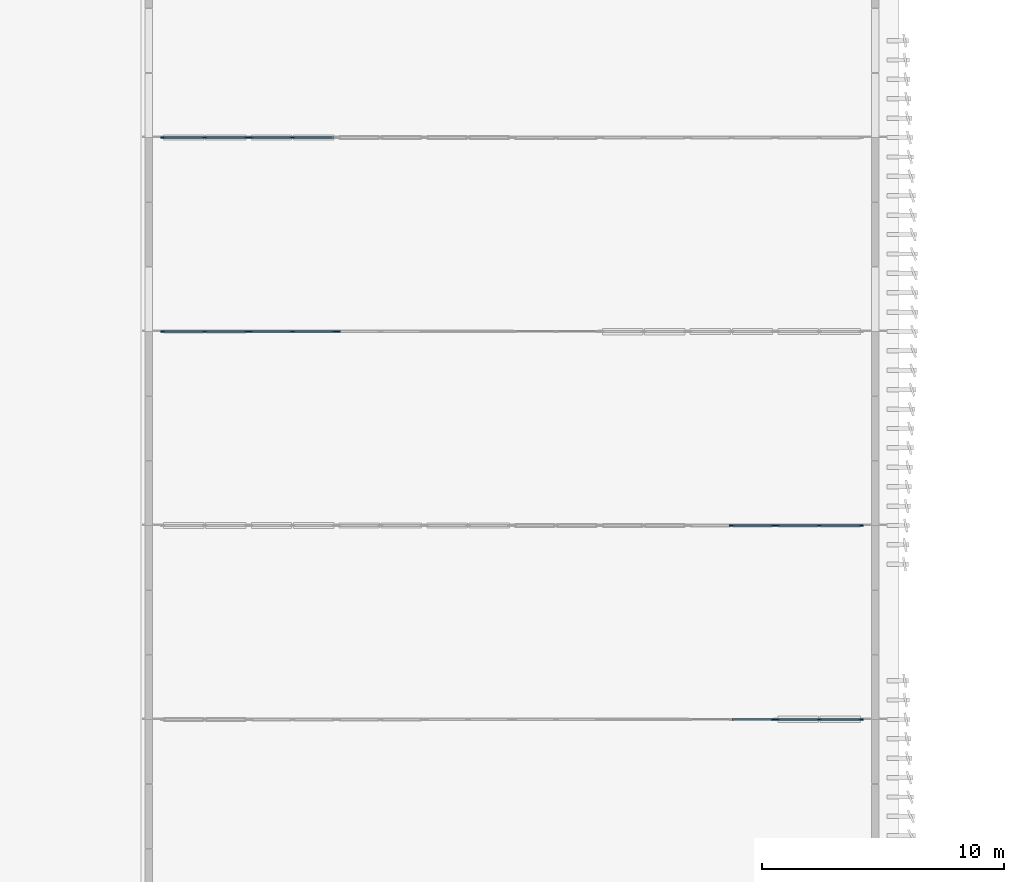
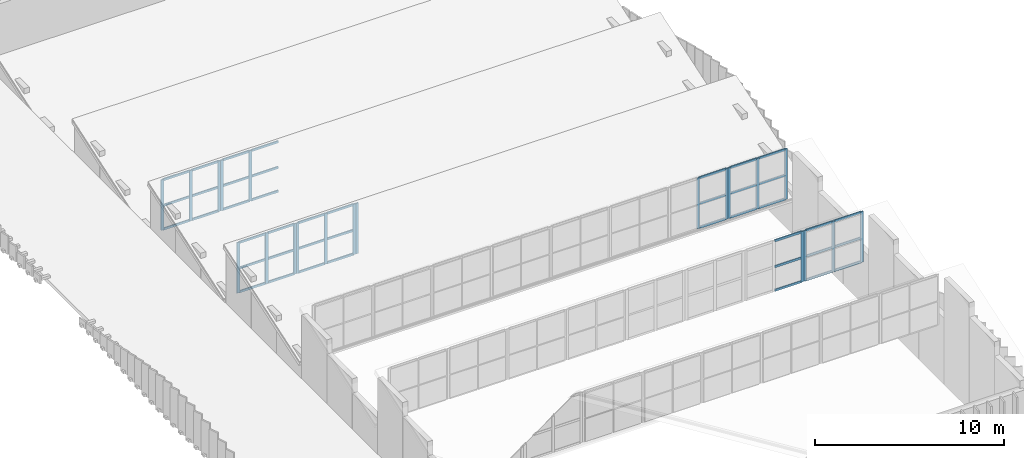
# One storey, part 7 of 45: 63 members, 9 elements without a shape of their own.
"""IFC4 building model written with IfcOpenShell, lengths in metres."""

from ifc_helpers import new_model, si_unit, direction, frame, origin, origin_2d, place, context, subcontext, project, spatial, rectangle, extrude, material, layer, layer_set, material_profile, profile_set, type_object, element, aggregate, save


model = new_model("IFC4")

# Units and contexts
model_context = context("Model", 3, precision=1e-05, world=origin(), true_north=direction((0.0, 1.0)))
body_context = subcontext(model_context, "Body", "Model", "MODEL_VIEW")
ifc_project = project(units=[si_unit("LENGTHUNIT", "METRE"), si_unit("AREAUNIT", "SQUARE_METRE"), si_unit("VOLUMEUNIT", "CUBIC_METRE"), si_unit("PLANEANGLEUNIT", "RADIAN"), si_unit("MASSUNIT", "GRAM", prefix="KILO")], contexts=[model_context])

# Site, building, storey
site_placement = place(None, origin())
site = spatial("IfcSite", under=ifc_project, at=site_placement, CompositionType="ELEMENT")
building_placement = place(site_placement, origin())
building = spatial("IfcBuilding", under=site, at=building_placement, Name="Cinchona Park Media Centre", CompositionType="ELEMENT")
storey_placement = place(building_placement, frame((0.0, 0.0, 20.39990234375)))
storey = spatial("IfcBuildingStorey", under=building, at=storey_placement, Name="L04", CompositionType="ELEMENT", Elevation=20.39990234375)

# Curtain wall, members
ifc_material_1 = material(Name="Aluminium Curtain Wall Framing", Category="aluminium")
ifc_layer = layer(ifc_material_1, 0.31494140625)
ifc_layer_set = layer_set([ifc_layer], Name="Aluminium Curtain Wall Framing")
curtain_wall_type = type_object("IfcCurtainWallType", Name="CW-CW10", PredefinedType="USERDEFINED", material=ifc_layer_set)
curtain_wall_1_placement = place(storey_placement, origin())
curtain_wall_1 = element("IfcCurtainWall", 1, at=curtain_wall_1_placement, inside=storey, type_object=curtain_wall_type, Name="North-Light Sawtooth Clerestory V1 Bay 2.1 CW10 L04", ObjectType="UNITISED CURTAIN WALL", PredefinedType="USERDEFINED")
ifc_material_2 = material(Name="Anodised Aluminium Alloy 6063-T6", Category="aluminium")
ifc_material_profile_1 = material_profile(ifc_material_2, rectangle(XDim=0.070068359375, YDim=0.179931640625, at=origin_2d()), Name="MUL-70X180")
ifc_profile_set_1 = profile_set([ifc_material_profile_1], Name="Anodised Aluminium Alloy 6063-T6")
member_type_1 = type_object("IfcMemberType", Name="MULLION-MUL02", PredefinedType="MULLION", material=ifc_profile_set_1)
member_1_placement = place(storey_placement, frame((44.784912109375, 23.60009765625, 1.780029296875), z_axis=(0.0, 0.0, 1.0), x_axis=(0.0, -1.0, 0.0)))
member_1 = element("IfcMember", 2, at=member_1_placement, type_object=member_type_1, Name="CW10 mullion 1", PredefinedType="MULLION", context=body_context, shape_type="SweptSolid", body=[
    extrude(rectangle(XDim=0.070068359375, YDim=0.179931640625, at=origin_2d()), origin(), (0.0, 0.0, 1.0), 3.257080078125),
])
member_2_placement = place(storey_placement, frame((43.050048828125, 23.60009765625, 1.780029296875), z_axis=(0.0, 0.0, 1.0), x_axis=(0.0, -1.0, 0.0)))
member_2 = element("IfcMember", 3, at=member_2_placement, type_object=member_type_1, Name="CW10 mullion 2", PredefinedType="MULLION", context=body_context, shape_type="SweptSolid", body=[
    extrude(rectangle(XDim=0.070068359375, YDim=0.179931640625, at=origin_2d()), origin(), (0.0, 0.0, 1.0), 3.257080078125),
])
member_3_placement = place(storey_placement, frame((41.31494140625, 23.60009765625, 1.780029296875), z_axis=(0.0, 0.0, 1.0), x_axis=(0.0, -1.0, 0.0)))
member_3 = element("IfcMember", 4, at=member_3_placement, type_object=member_type_1, Name="CW10 mullion 3", PredefinedType="MULLION", context=body_context, shape_type="SweptSolid", body=[
    extrude(rectangle(XDim=0.070068359375, YDim=0.179931640625, at=origin_2d()), origin(), (0.0, 0.0, 1.0), 3.257080078125),
])

# Curtain wall, member
curtain_wall_2_placement = place(storey_placement, origin())
curtain_wall_2 = element("IfcCurtainWall", 5, at=curtain_wall_2_placement, inside=storey, type_object=curtain_wall_type, Name="North-Light Sawtooth Clerestory V1 Bay 2.2 CW10 L04", ObjectType="UNITISED CURTAIN WALL", PredefinedType="USERDEFINED")
member_4_placement = place(storey_placement, frame((41.1650390625, 23.60009765625, 1.780029296875), z_axis=(0.0, 0.0, 1.0), x_axis=(0.0, -1.0, 0.0)))
member_4 = element("IfcMember", 6, at=member_4_placement, type_object=member_type_1, Name="CW10 mullion 1", PredefinedType="MULLION", context=body_context, shape_type="SweptSolid", body=[
    extrude(rectangle(XDim=0.070068359375, YDim=0.179931640625, at=origin_2d()), origin(), (0.0, 0.0, 1.0), 3.257080078125),
])

# Curtain wall, members
curtain_wall_3_placement = place(storey_placement, origin())
curtain_wall_3 = element("IfcCurtainWall", 7, at=curtain_wall_3_placement, inside=storey, type_object=curtain_wall_type, Name="North-Light Sawtooth Clerestory V1 Bay 3.1 CW10 L04", ObjectType="UNITISED CURTAIN WALL", PredefinedType="USERDEFINED")
member_5_placement = place(storey_placement, frame((44.784912109375, 31.60009765625, 0.97998046875), z_axis=(0.0, 0.0, 1.0), x_axis=(0.0, -1.0, 0.0)))
member_5 = element("IfcMember", 8, at=member_5_placement, type_object=member_type_1, Name="CW10 mullion 1", PredefinedType="MULLION", context=body_context, shape_type="SweptSolid", body=[
    extrude(rectangle(XDim=0.070068359375, YDim=0.179931640625, at=origin_2d()), origin(), (0.0, 0.0, 1.0), 3.257080078125),
])
member_6_placement = place(storey_placement, frame((43.050048828125, 31.60009765625, 0.97998046875), z_axis=(0.0, 0.0, 1.0), x_axis=(0.0, -1.0, 0.0)))
member_6 = element("IfcMember", 9, at=member_6_placement, type_object=member_type_1, Name="CW10 mullion 2", PredefinedType="MULLION", context=body_context, shape_type="SweptSolid", body=[
    extrude(rectangle(XDim=0.070068359375, YDim=0.179931640625, at=origin_2d()), origin(), (0.0, 0.0, 1.0), 3.257080078125),
])
member_7_placement = place(storey_placement, frame((41.31494140625, 31.60009765625, 0.97998046875), z_axis=(0.0, 0.0, 1.0), x_axis=(0.0, -1.0, 0.0)))
member_7 = element("IfcMember", 10, at=member_7_placement, type_object=member_type_1, Name="CW10 mullion 3", PredefinedType="MULLION", context=body_context, shape_type="SweptSolid", body=[
    extrude(rectangle(XDim=0.070068359375, YDim=0.179931640625, at=origin_2d()), origin(), (0.0, 0.0, 1.0), 3.257080078125),
])

curtain_wall_4_placement = place(storey_placement, origin())
curtain_wall_4 = element("IfcCurtainWall", 11, at=curtain_wall_4_placement, inside=storey, type_object=curtain_wall_type, Name="North-Light Sawtooth Clerestory V1 Bay 3.2 CW10 L04", ObjectType="UNITISED CURTAIN WALL", PredefinedType="USERDEFINED")
member_8_placement = place(storey_placement, frame((41.1650390625, 31.60009765625, 0.97998046875), z_axis=(0.0, 0.0, 1.0), x_axis=(0.0, -1.0, 0.0)))
member_8 = element("IfcMember", 12, at=member_8_placement, type_object=member_type_1, Name="CW10 mullion 1", PredefinedType="MULLION", context=body_context, shape_type="SweptSolid", body=[
    extrude(rectangle(XDim=0.070068359375, YDim=0.179931640625, at=origin_2d()), origin(), (0.0, 0.0, 1.0), 3.257080078125),
])
member_9_placement = place(storey_placement, frame((39.429931640625, 31.60009765625, 0.97998046875), z_axis=(0.0, 0.0, 1.0), x_axis=(0.0, -1.0, 0.0)))
member_9 = element("IfcMember", 13, at=member_9_placement, type_object=member_type_1, Name="CW10 mullion 2", PredefinedType="MULLION", context=body_context, shape_type="SweptSolid", body=[
    extrude(rectangle(XDim=0.070068359375, YDim=0.179931640625, at=origin_2d()), origin(), (0.0, 0.0, 1.0), 3.257080078125),
])

# Curtain wall, member
curtain_wall_5_placement = place(storey_placement, origin())
curtain_wall_5 = element("IfcCurtainWall", 14, at=curtain_wall_5_placement, inside=storey, type_object=curtain_wall_type, Name="North-Light Sawtooth Clerestory V1 Bay 4.6 CW10 L04", ObjectType="UNITISED CURTAIN WALL", PredefinedType="USERDEFINED")
member_10_placement = place(storey_placement, frame((23.215087890625, 39.60009765625, 0.18017578125), z_axis=(0.0, 0.0, 1.0), x_axis=(0.0, -1.0, 0.0)))
member_10 = element("IfcMember", 15, at=member_10_placement, type_object=member_type_1, Name="CW10 mullion 3", PredefinedType="MULLION", context=body_context, shape_type="SweptSolid", body=[
    extrude(rectangle(XDim=0.070068359375, YDim=0.179931640625, at=origin_2d()), origin(), (0.0, 0.0, 1.0), 3.2568359375),
])
aggregate(curtain_wall_5, [member_10])

# Curtain wall, members
curtain_wall_6_placement = place(storey_placement, origin())
curtain_wall_6 = element("IfcCurtainWall", 16, at=curtain_wall_6_placement, inside=storey, type_object=curtain_wall_type, Name="North-Light Sawtooth Clerestory V1 Bay 4.7 CW10 L04", ObjectType="UNITISED CURTAIN WALL", PredefinedType="USERDEFINED")
member_11_placement = place(storey_placement, frame((23.06494140625, 39.60009765625, 0.18017578125), z_axis=(0.0, 0.0, 1.0), x_axis=(0.0, -1.0, 0.0)))
member_11 = element("IfcMember", 17, at=member_11_placement, type_object=member_type_1, Name="CW10 mullion 1", PredefinedType="MULLION", context=body_context, shape_type="SweptSolid", body=[
    extrude(rectangle(XDim=0.070068359375, YDim=0.179931640625, at=origin_2d()), origin(), (0.0, 0.0, 1.0), 3.2568359375),
])
member_12_placement = place(storey_placement, frame((21.330078125, 39.60009765625, 0.18017578125), z_axis=(0.0, 0.0, 1.0), x_axis=(0.0, -1.0, 0.0)))
member_12 = element("IfcMember", 18, at=member_12_placement, type_object=member_type_1, Name="CW10 mullion 2", PredefinedType="MULLION", context=body_context, shape_type="SweptSolid", body=[
    extrude(rectangle(XDim=0.070068359375, YDim=0.179931640625, at=origin_2d()), origin(), (0.0, 0.0, 1.0), 3.2568359375),
])
member_13_placement = place(storey_placement, frame((19.594970703125, 39.60009765625, 0.18017578125), z_axis=(0.0, 0.0, 1.0), x_axis=(0.0, -1.0, 0.0)))
member_13 = element("IfcMember", 19, at=member_13_placement, type_object=member_type_1, Name="CW10 mullion 3", PredefinedType="MULLION", context=body_context, shape_type="SweptSolid", body=[
    extrude(rectangle(XDim=0.070068359375, YDim=0.179931640625, at=origin_2d()), origin(), (0.0, 0.0, 1.0), 3.2568359375),
])

curtain_wall_7_placement = place(storey_placement, origin())
curtain_wall_7 = element("IfcCurtainWall", 20, at=curtain_wall_7_placement, inside=storey, type_object=curtain_wall_type, Name="North-Light Sawtooth Clerestory V1 Bay 4.8 CW10 L04", ObjectType="UNITISED CURTAIN WALL", PredefinedType="USERDEFINED")
member_14_placement = place(storey_placement, frame((19.445068359375, 39.60009765625, 0.18017578125), z_axis=(0.0, 0.0, 1.0), x_axis=(0.0, -1.0, 0.0)))
member_14 = element("IfcMember", 21, at=member_14_placement, type_object=member_type_1, Name="CW10 mullion 1", PredefinedType="MULLION", context=body_context, shape_type="SweptSolid", body=[
    extrude(rectangle(XDim=0.070068359375, YDim=0.179931640625, at=origin_2d()), origin(), (0.0, 0.0, 1.0), 3.2568359375),
])
member_15_placement = place(storey_placement, frame((17.7099609375, 39.60009765625, 0.18017578125), z_axis=(0.0, 0.0, 1.0), x_axis=(0.0, -1.0, 0.0)))
member_15 = element("IfcMember", 22, at=member_15_placement, type_object=member_type_1, Name="CW10 mullion 2", PredefinedType="MULLION", context=body_context, shape_type="SweptSolid", body=[
    extrude(rectangle(XDim=0.070068359375, YDim=0.179931640625, at=origin_2d()), origin(), (0.0, 0.0, 1.0), 3.2568359375),
])
member_16_placement = place(storey_placement, frame((15.97509765625, 39.60009765625, 0.18017578125), z_axis=(0.0, 0.0, 1.0), x_axis=(0.0, -1.0, 0.0)))
member_16 = element("IfcMember", 23, at=member_16_placement, type_object=member_type_1, Name="CW10 mullion 3", PredefinedType="MULLION", context=body_context, shape_type="SweptSolid", body=[
    extrude(rectangle(XDim=0.070068359375, YDim=0.179931640625, at=origin_2d()), origin(), (0.0, 0.0, 1.0), 3.2568359375),
])

curtain_wall_8_placement = place(storey_placement, origin())
curtain_wall_8 = element("IfcCurtainWall", 24, at=curtain_wall_8_placement, inside=storey, type_object=curtain_wall_type, Name="North-Light Sawtooth Clerestory V1 Bay 5.7 CW10 L04", ObjectType="UNITISED CURTAIN WALL", PredefinedType="USERDEFINED")
member_17_placement = place(storey_placement, frame((21.330078125, 47.60009765625, -0.619873046875), z_axis=(0.0, 0.0, 1.0), x_axis=(0.0, -1.0, 0.0)))
member_17 = element("IfcMember", 25, at=member_17_placement, type_object=member_type_1, Name="CW10 mullion 2", PredefinedType="MULLION", context=body_context, shape_type="SweptSolid", body=[
    extrude(rectangle(XDim=0.070068359375, YDim=0.179931640625, at=origin_2d()), origin(), (0.0, 0.0, 1.0), 3.257080078125),
])
member_18_placement = place(storey_placement, frame((19.594970703125, 47.60009765625, -0.619873046875), z_axis=(0.0, 0.0, 1.0), x_axis=(0.0, -1.0, 0.0)))
member_18 = element("IfcMember", 26, at=member_18_placement, type_object=member_type_1, Name="CW10 mullion 3", PredefinedType="MULLION", context=body_context, shape_type="SweptSolid", body=[
    extrude(rectangle(XDim=0.070068359375, YDim=0.179931640625, at=origin_2d()), origin(), (0.0, 0.0, 1.0), 3.257080078125),
])

curtain_wall_9_placement = place(storey_placement, origin())
curtain_wall_9 = element("IfcCurtainWall", 27, at=curtain_wall_9_placement, inside=storey, type_object=curtain_wall_type, Name="North-Light Sawtooth Clerestory V1 Bay 5.8 CW10 L04", ObjectType="UNITISED CURTAIN WALL", PredefinedType="USERDEFINED")
member_19_placement = place(storey_placement, frame((19.445068359375, 47.60009765625, -0.619873046875), z_axis=(0.0, 0.0, 1.0), x_axis=(0.0, -1.0, 0.0)))
member_19 = element("IfcMember", 28, at=member_19_placement, type_object=member_type_1, Name="CW10 mullion 1", PredefinedType="MULLION", context=body_context, shape_type="SweptSolid", body=[
    extrude(rectangle(XDim=0.070068359375, YDim=0.179931640625, at=origin_2d()), origin(), (0.0, 0.0, 1.0), 3.257080078125),
])
member_20_placement = place(storey_placement, frame((17.7099609375, 47.60009765625, -0.619873046875), z_axis=(0.0, 0.0, 1.0), x_axis=(0.0, -1.0, 0.0)))
member_20 = element("IfcMember", 29, at=member_20_placement, type_object=member_type_1, Name="CW10 mullion 2", PredefinedType="MULLION", context=body_context, shape_type="SweptSolid", body=[
    extrude(rectangle(XDim=0.070068359375, YDim=0.179931640625, at=origin_2d()), origin(), (0.0, 0.0, 1.0), 3.257080078125),
])
member_21_placement = place(storey_placement, frame((15.97509765625, 47.60009765625, -0.619873046875), z_axis=(0.0, 0.0, 1.0), x_axis=(0.0, -1.0, 0.0)))
member_21 = element("IfcMember", 30, at=member_21_placement, type_object=member_type_1, Name="CW10 mullion 3", PredefinedType="MULLION", context=body_context, shape_type="SweptSolid", body=[
    extrude(rectangle(XDim=0.070068359375, YDim=0.179931640625, at=origin_2d()), origin(), (0.0, 0.0, 1.0), 3.257080078125),
])

# Member
ifc_material_3 = material(Name="Anodised Aluminium Alloy 6063-T6", Category="aluminium")
ifc_material_profile_2 = material_profile(ifc_material_3, rectangle(XDim=0.070068359375, YDim=0.139892578125, at=origin_2d()), Name="TRN-70X140")
ifc_profile_set_2 = profile_set([ifc_material_profile_2], Name="Anodised Aluminium Alloy 6063-T6")
member_type_2 = type_object("IfcMemberType", Name="TRANSOM-TRN02", PredefinedType="USERDEFINED", material=ifc_profile_set_2)
member_22_placement = place(storey_placement, frame((44.75, 23.60009765625, 1.815185546875), z_axis=(-1.0, 0.0, 0.0), x_axis=(0.0, -1.0, 0.0)))
member_22 = element("IfcMember", 31, at=member_22_placement, type_object=member_type_2, Name="CW10 transom 1.1", ObjectType="TRANSOM", PredefinedType="USERDEFINED", context=body_context, shape_type="SweptSolid", body=[
    extrude(rectangle(XDim=0.070068359375, YDim=0.139892578125, at=origin_2d()), origin(), (0.0, 0.0, 1.0), 1.6650390625),
])

member_23_placement = place(storey_placement, frame((44.75, 23.60009765625, 3.343017578125), z_axis=(-1.0, 0.0, 0.0), x_axis=(0.0, -1.0, 0.0)))
member_23 = element("IfcMember", 32, at=member_23_placement, type_object=member_type_2, Name="CW10 transom 1.2", ObjectType="TRANSOM", PredefinedType="USERDEFINED", context=body_context, shape_type="SweptSolid", body=[
    extrude(rectangle(XDim=0.070068359375, YDim=0.139892578125, at=origin_2d()), origin(), (0.0, 0.0, 1.0), 1.6650390625),
])

member_24_placement = place(storey_placement, frame((44.75, 23.60009765625, 5.002197265625), z_axis=(-1.0, 0.0, 0.0), x_axis=(0.0, -1.0, 0.0)))
member_24 = element("IfcMember", 33, at=member_24_placement, type_object=member_type_2, Name="CW10 transom 1.3", ObjectType="TRANSOM", PredefinedType="USERDEFINED", context=body_context, shape_type="SweptSolid", body=[
    extrude(rectangle(XDim=0.070068359375, YDim=0.139892578125, at=origin_2d()), origin(), (0.0, 0.0, 1.0), 1.6650390625),
])

member_25_placement = place(storey_placement, frame((43.014892578125, 23.60009765625, 1.815185546875), z_axis=(-1.0, 0.0, 0.0), x_axis=(0.0, -1.0, 0.0)))
member_25 = element("IfcMember", 34, at=member_25_placement, type_object=member_type_2, Name="CW10 transom 2.1", ObjectType="TRANSOM", PredefinedType="USERDEFINED", context=body_context, shape_type="SweptSolid", body=[
    extrude(rectangle(XDim=0.070068359375, YDim=0.139892578125, at=origin_2d()), origin(), (0.0, 0.0, 1.0), 1.664794921875),
])

member_26_placement = place(storey_placement, frame((43.014892578125, 23.60009765625, 3.343017578125), z_axis=(-1.0, 0.0, 0.0), x_axis=(0.0, -1.0, 0.0)))
member_26 = element("IfcMember", 35, at=member_26_placement, type_object=member_type_2, Name="CW10 transom 2.2", ObjectType="TRANSOM", PredefinedType="USERDEFINED", context=body_context, shape_type="SweptSolid", body=[
    extrude(rectangle(XDim=0.070068359375, YDim=0.139892578125, at=origin_2d()), origin(), (0.0, 0.0, 1.0), 1.664794921875),
])

member_27_placement = place(storey_placement, frame((43.014892578125, 23.60009765625, 5.002197265625), z_axis=(-1.0, 0.0, 0.0), x_axis=(0.0, -1.0, 0.0)))
member_27 = element("IfcMember", 36, at=member_27_placement, type_object=member_type_2, Name="CW10 transom 2.3", ObjectType="TRANSOM", PredefinedType="USERDEFINED", context=body_context, shape_type="SweptSolid", body=[
    extrude(rectangle(XDim=0.070068359375, YDim=0.139892578125, at=origin_2d()), origin(), (0.0, 0.0, 1.0), 1.664794921875),
])

aggregate(curtain_wall_1, [member_1, member_2, member_3, member_22, member_23, member_24, member_25, member_26, member_27])

member_28_placement = place(storey_placement, frame((41.1298828125, 23.60009765625, 1.815185546875), z_axis=(-1.0, 0.0, 0.0), x_axis=(0.0, -1.0, 0.0)))
member_28 = element("IfcMember", 37, at=member_28_placement, type_object=member_type_2, Name="CW10 transom 1.1", ObjectType="TRANSOM", PredefinedType="USERDEFINED", context=body_context, shape_type="SweptSolid", body=[
    extrude(rectangle(XDim=0.070068359375, YDim=0.139892578125, at=origin_2d()), origin(), (0.0, 0.0, 1.0), 1.664794921875),
])

member_29_placement = place(storey_placement, frame((41.1298828125, 23.60009765625, 3.343017578125), z_axis=(-1.0, 0.0, 0.0), x_axis=(0.0, -1.0, 0.0)))
member_29 = element("IfcMember", 38, at=member_29_placement, type_object=member_type_2, Name="CW10 transom 1.2", ObjectType="TRANSOM", PredefinedType="USERDEFINED", context=body_context, shape_type="SweptSolid", body=[
    extrude(rectangle(XDim=0.070068359375, YDim=0.139892578125, at=origin_2d()), origin(), (0.0, 0.0, 1.0), 1.664794921875),
])

member_30_placement = place(storey_placement, frame((41.1298828125, 23.60009765625, 5.002197265625), z_axis=(-1.0, 0.0, 0.0), x_axis=(0.0, -1.0, 0.0)))
member_30 = element("IfcMember", 39, at=member_30_placement, type_object=member_type_2, Name="CW10 transom 1.3", ObjectType="TRANSOM", PredefinedType="USERDEFINED", context=body_context, shape_type="SweptSolid", body=[
    extrude(rectangle(XDim=0.070068359375, YDim=0.139892578125, at=origin_2d()), origin(), (0.0, 0.0, 1.0), 1.664794921875),
])

aggregate(curtain_wall_2, [member_4, member_28, member_29, member_30])

member_31_placement = place(storey_placement, frame((44.75, 31.60009765625, 1.01513671875), z_axis=(-1.0, 0.0, 0.0), x_axis=(0.0, -1.0, 0.0)))
member_31 = element("IfcMember", 40, at=member_31_placement, type_object=member_type_2, Name="CW10 transom 1.1", ObjectType="TRANSOM", PredefinedType="USERDEFINED", context=body_context, shape_type="SweptSolid", body=[
    extrude(rectangle(XDim=0.070068359375, YDim=0.139892578125, at=origin_2d()), origin(), (0.0, 0.0, 1.0), 1.6650390625),
])

member_32_placement = place(storey_placement, frame((44.75, 31.60009765625, 2.543212890625), z_axis=(-1.0, 0.0, 0.0), x_axis=(0.0, -1.0, 0.0)))
member_32 = element("IfcMember", 41, at=member_32_placement, type_object=member_type_2, Name="CW10 transom 1.2", ObjectType="TRANSOM", PredefinedType="USERDEFINED", context=body_context, shape_type="SweptSolid", body=[
    extrude(rectangle(XDim=0.070068359375, YDim=0.139892578125, at=origin_2d()), origin(), (0.0, 0.0, 1.0), 1.6650390625),
])

member_33_placement = place(storey_placement, frame((44.75, 31.60009765625, 4.2021484375), z_axis=(-1.0, 0.0, 0.0), x_axis=(0.0, -1.0, 0.0)))
member_33 = element("IfcMember", 42, at=member_33_placement, type_object=member_type_2, Name="CW10 transom 1.3", ObjectType="TRANSOM", PredefinedType="USERDEFINED", context=body_context, shape_type="SweptSolid", body=[
    extrude(rectangle(XDim=0.070068359375, YDim=0.139892578125, at=origin_2d()), origin(), (0.0, 0.0, 1.0), 1.6650390625),
])

member_34_placement = place(storey_placement, frame((43.014892578125, 31.60009765625, 1.01513671875), z_axis=(-1.0, 0.0, 0.0), x_axis=(0.0, -1.0, 0.0)))
member_34 = element("IfcMember", 43, at=member_34_placement, type_object=member_type_2, Name="CW10 transom 2.1", ObjectType="TRANSOM", PredefinedType="USERDEFINED", context=body_context, shape_type="SweptSolid", body=[
    extrude(rectangle(XDim=0.070068359375, YDim=0.139892578125, at=origin_2d()), origin(), (0.0, 0.0, 1.0), 1.664794921875),
])

member_35_placement = place(storey_placement, frame((43.014892578125, 31.60009765625, 2.543212890625), z_axis=(-1.0, 0.0, 0.0), x_axis=(0.0, -1.0, 0.0)))
member_35 = element("IfcMember", 44, at=member_35_placement, type_object=member_type_2, Name="CW10 transom 2.2", ObjectType="TRANSOM", PredefinedType="USERDEFINED", context=body_context, shape_type="SweptSolid", body=[
    extrude(rectangle(XDim=0.070068359375, YDim=0.139892578125, at=origin_2d()), origin(), (0.0, 0.0, 1.0), 1.664794921875),
])

member_36_placement = place(storey_placement, frame((43.014892578125, 31.60009765625, 4.2021484375), z_axis=(-1.0, 0.0, 0.0), x_axis=(0.0, -1.0, 0.0)))
member_36 = element("IfcMember", 45, at=member_36_placement, type_object=member_type_2, Name="CW10 transom 2.3", ObjectType="TRANSOM", PredefinedType="USERDEFINED", context=body_context, shape_type="SweptSolid", body=[
    extrude(rectangle(XDim=0.070068359375, YDim=0.139892578125, at=origin_2d()), origin(), (0.0, 0.0, 1.0), 1.664794921875),
])

aggregate(curtain_wall_3, [member_5, member_6, member_7, member_31, member_32, member_33, member_34, member_35, member_36])

member_37_placement = place(storey_placement, frame((41.1298828125, 31.60009765625, 1.01513671875), z_axis=(-1.0, 0.0, 0.0), x_axis=(0.0, -1.0, 0.0)))
member_37 = element("IfcMember", 46, at=member_37_placement, type_object=member_type_2, Name="CW10 transom 1.1", ObjectType="TRANSOM", PredefinedType="USERDEFINED", context=body_context, shape_type="SweptSolid", body=[
    extrude(rectangle(XDim=0.070068359375, YDim=0.139892578125, at=origin_2d()), origin(), (0.0, 0.0, 1.0), 1.664794921875),
])

member_38_placement = place(storey_placement, frame((41.1298828125, 31.60009765625, 2.543212890625), z_axis=(-1.0, 0.0, 0.0), x_axis=(0.0, -1.0, 0.0)))
member_38 = element("IfcMember", 47, at=member_38_placement, type_object=member_type_2, Name="CW10 transom 1.2", ObjectType="TRANSOM", PredefinedType="USERDEFINED", context=body_context, shape_type="SweptSolid", body=[
    extrude(rectangle(XDim=0.070068359375, YDim=0.139892578125, at=origin_2d()), origin(), (0.0, 0.0, 1.0), 1.664794921875),
])

member_39_placement = place(storey_placement, frame((41.1298828125, 31.60009765625, 4.2021484375), z_axis=(-1.0, 0.0, 0.0), x_axis=(0.0, -1.0, 0.0)))
member_39 = element("IfcMember", 48, at=member_39_placement, type_object=member_type_2, Name="CW10 transom 1.3", ObjectType="TRANSOM", PredefinedType="USERDEFINED", context=body_context, shape_type="SweptSolid", body=[
    extrude(rectangle(XDim=0.070068359375, YDim=0.139892578125, at=origin_2d()), origin(), (0.0, 0.0, 1.0), 1.664794921875),
])

aggregate(curtain_wall_4, [member_8, member_9, member_37, member_38, member_39])

member_40_placement = place(storey_placement, frame((23.030029296875, 39.60009765625, 0.215087890625), z_axis=(-1.0, 0.0, 0.0), x_axis=(0.0, -1.0, 0.0)))
member_40 = element("IfcMember", 49, at=member_40_placement, type_object=member_type_2, Name="CW10 transom 1.1", ObjectType="TRANSOM", PredefinedType="USERDEFINED", context=body_context, shape_type="SweptSolid", body=[
    extrude(rectangle(XDim=0.070068359375, YDim=0.139892578125, at=origin_2d()), origin(), (0.0, 0.0, 1.0), 1.6650390625),
])

member_41_placement = place(storey_placement, frame((23.030029296875, 39.60009765625, 1.7431640625), z_axis=(-1.0, 0.0, 0.0), x_axis=(0.0, -1.0, 0.0)))
member_41 = element("IfcMember", 50, at=member_41_placement, type_object=member_type_2, Name="CW10 transom 1.2", ObjectType="TRANSOM", PredefinedType="USERDEFINED", context=body_context, shape_type="SweptSolid", body=[
    extrude(rectangle(XDim=0.070068359375, YDim=0.139892578125, at=origin_2d()), origin(), (0.0, 0.0, 1.0), 1.6650390625),
])

member_42_placement = place(storey_placement, frame((23.030029296875, 39.60009765625, 3.402099609375), z_axis=(-1.0, 0.0, 0.0), x_axis=(0.0, -1.0, 0.0)))
member_42 = element("IfcMember", 51, at=member_42_placement, type_object=member_type_2, Name="CW10 transom 1.3", ObjectType="TRANSOM", PredefinedType="USERDEFINED", context=body_context, shape_type="SweptSolid", body=[
    extrude(rectangle(XDim=0.070068359375, YDim=0.139892578125, at=origin_2d()), origin(), (0.0, 0.0, 1.0), 1.6650390625),
])

member_43_placement = place(storey_placement, frame((21.294921875, 39.60009765625, 0.215087890625), z_axis=(-1.0, 0.0, 0.0), x_axis=(0.0, -1.0, 0.0)))
member_43 = element("IfcMember", 52, at=member_43_placement, type_object=member_type_2, Name="CW10 transom 2.1", ObjectType="TRANSOM", PredefinedType="USERDEFINED", context=body_context, shape_type="SweptSolid", body=[
    extrude(rectangle(XDim=0.070068359375, YDim=0.139892578125, at=origin_2d()), origin(), (0.0, 0.0, 1.0), 1.6650390625),
])

member_44_placement = place(storey_placement, frame((21.294921875, 39.60009765625, 1.7431640625), z_axis=(-1.0, 0.0, 0.0), x_axis=(0.0, -1.0, 0.0)))
member_44 = element("IfcMember", 53, at=member_44_placement, type_object=member_type_2, Name="CW10 transom 2.2", ObjectType="TRANSOM", PredefinedType="USERDEFINED", context=body_context, shape_type="SweptSolid", body=[
    extrude(rectangle(XDim=0.070068359375, YDim=0.139892578125, at=origin_2d()), origin(), (0.0, 0.0, 1.0), 1.6650390625),
])

member_45_placement = place(storey_placement, frame((21.294921875, 39.60009765625, 3.402099609375), z_axis=(-1.0, 0.0, 0.0), x_axis=(0.0, -1.0, 0.0)))
member_45 = element("IfcMember", 54, at=member_45_placement, type_object=member_type_2, Name="CW10 transom 2.3", ObjectType="TRANSOM", PredefinedType="USERDEFINED", context=body_context, shape_type="SweptSolid", body=[
    extrude(rectangle(XDim=0.070068359375, YDim=0.139892578125, at=origin_2d()), origin(), (0.0, 0.0, 1.0), 1.6650390625),
])

aggregate(curtain_wall_6, [member_11, member_12, member_13, member_40, member_41, member_42, member_43, member_44, member_45])

member_46_placement = place(storey_placement, frame((19.409912109375, 39.60009765625, 0.215087890625), z_axis=(-1.0, 0.0, 0.0), x_axis=(0.0, -1.0, 0.0)))
member_46 = element("IfcMember", 55, at=member_46_placement, type_object=member_type_2, Name="CW10 transom 1.1", ObjectType="TRANSOM", PredefinedType="USERDEFINED", context=body_context, shape_type="SweptSolid", body=[
    extrude(rectangle(XDim=0.070068359375, YDim=0.139892578125, at=origin_2d()), origin(), (0.0, 0.0, 1.0), 1.664794921875),
])

member_47_placement = place(storey_placement, frame((19.409912109375, 39.60009765625, 1.7431640625), z_axis=(-1.0, 0.0, 0.0), x_axis=(0.0, -1.0, 0.0)))
member_47 = element("IfcMember", 56, at=member_47_placement, type_object=member_type_2, Name="CW10 transom 1.2", ObjectType="TRANSOM", PredefinedType="USERDEFINED", context=body_context, shape_type="SweptSolid", body=[
    extrude(rectangle(XDim=0.070068359375, YDim=0.139892578125, at=origin_2d()), origin(), (0.0, 0.0, 1.0), 1.664794921875),
])

member_48_placement = place(storey_placement, frame((19.409912109375, 39.60009765625, 3.402099609375), z_axis=(-1.0, 0.0, 0.0), x_axis=(0.0, -1.0, 0.0)))
member_48 = element("IfcMember", 57, at=member_48_placement, type_object=member_type_2, Name="CW10 transom 1.3", ObjectType="TRANSOM", PredefinedType="USERDEFINED", context=body_context, shape_type="SweptSolid", body=[
    extrude(rectangle(XDim=0.070068359375, YDim=0.139892578125, at=origin_2d()), origin(), (0.0, 0.0, 1.0), 1.664794921875),
])

member_49_placement = place(storey_placement, frame((17.675048828125, 39.60009765625, 0.215087890625), z_axis=(-1.0, 0.0, 0.0), x_axis=(0.0, -1.0, 0.0)))
member_49 = element("IfcMember", 58, at=member_49_placement, type_object=member_type_2, Name="CW10 transom 2.1", ObjectType="TRANSOM", PredefinedType="USERDEFINED", context=body_context, shape_type="SweptSolid", body=[
    extrude(rectangle(XDim=0.070068359375, YDim=0.139892578125, at=origin_2d()), origin(), (0.0, 0.0, 1.0), 1.6650390625),
])

member_50_placement = place(storey_placement, frame((17.675048828125, 39.60009765625, 1.7431640625), z_axis=(-1.0, 0.0, 0.0), x_axis=(0.0, -1.0, 0.0)))
member_50 = element("IfcMember", 59, at=member_50_placement, type_object=member_type_2, Name="CW10 transom 2.2", ObjectType="TRANSOM", PredefinedType="USERDEFINED", context=body_context, shape_type="SweptSolid", body=[
    extrude(rectangle(XDim=0.070068359375, YDim=0.139892578125, at=origin_2d()), origin(), (0.0, 0.0, 1.0), 1.6650390625),
])

member_51_placement = place(storey_placement, frame((17.675048828125, 39.60009765625, 3.402099609375), z_axis=(-1.0, 0.0, 0.0), x_axis=(0.0, -1.0, 0.0)))
member_51 = element("IfcMember", 60, at=member_51_placement, type_object=member_type_2, Name="CW10 transom 2.3", ObjectType="TRANSOM", PredefinedType="USERDEFINED", context=body_context, shape_type="SweptSolid", body=[
    extrude(rectangle(XDim=0.070068359375, YDim=0.139892578125, at=origin_2d()), origin(), (0.0, 0.0, 1.0), 1.6650390625),
])

aggregate(curtain_wall_7, [member_14, member_15, member_16, member_46, member_47, member_48, member_49, member_50, member_51])

member_52_placement = place(storey_placement, frame((23.030029296875, 47.60009765625, -0.5849609375), z_axis=(-1.0, 0.0, 0.0), x_axis=(0.0, -1.0, 0.0)))
member_52 = element("IfcMember", 61, at=member_52_placement, type_object=member_type_2, Name="CW10 transom 1.1", ObjectType="TRANSOM", PredefinedType="USERDEFINED", context=body_context, shape_type="SweptSolid", body=[
    extrude(rectangle(XDim=0.070068359375, YDim=0.139892578125, at=origin_2d()), origin(), (0.0, 0.0, 1.0), 1.6650390625),
])

member_53_placement = place(storey_placement, frame((23.030029296875, 47.60009765625, 0.943115234375), z_axis=(-1.0, 0.0, 0.0), x_axis=(0.0, -1.0, 0.0)))
member_53 = element("IfcMember", 62, at=member_53_placement, type_object=member_type_2, Name="CW10 transom 1.2", ObjectType="TRANSOM", PredefinedType="USERDEFINED", context=body_context, shape_type="SweptSolid", body=[
    extrude(rectangle(XDim=0.070068359375, YDim=0.139892578125, at=origin_2d()), origin(), (0.0, 0.0, 1.0), 1.6650390625),
])

member_54_placement = place(storey_placement, frame((23.030029296875, 47.60009765625, 2.60205078125), z_axis=(-1.0, 0.0, 0.0), x_axis=(0.0, -1.0, 0.0)))
member_54 = element("IfcMember", 63, at=member_54_placement, type_object=member_type_2, Name="CW10 transom 1.3", ObjectType="TRANSOM", PredefinedType="USERDEFINED", context=body_context, shape_type="SweptSolid", body=[
    extrude(rectangle(XDim=0.070068359375, YDim=0.139892578125, at=origin_2d()), origin(), (0.0, 0.0, 1.0), 1.6650390625),
])

member_55_placement = place(storey_placement, frame((21.294921875, 47.60009765625, -0.5849609375), z_axis=(-1.0, 0.0, 0.0), x_axis=(0.0, -1.0, 0.0)))
member_55 = element("IfcMember", 64, at=member_55_placement, type_object=member_type_2, Name="CW10 transom 2.1", ObjectType="TRANSOM", PredefinedType="USERDEFINED", context=body_context, shape_type="SweptSolid", body=[
    extrude(rectangle(XDim=0.070068359375, YDim=0.139892578125, at=origin_2d()), origin(), (0.0, 0.0, 1.0), 1.6650390625),
])

member_56_placement = place(storey_placement, frame((21.294921875, 47.60009765625, 0.943115234375), z_axis=(-1.0, 0.0, 0.0), x_axis=(0.0, -1.0, 0.0)))
member_56 = element("IfcMember", 65, at=member_56_placement, type_object=member_type_2, Name="CW10 transom 2.2", ObjectType="TRANSOM", PredefinedType="USERDEFINED", context=body_context, shape_type="SweptSolid", body=[
    extrude(rectangle(XDim=0.070068359375, YDim=0.139892578125, at=origin_2d()), origin(), (0.0, 0.0, 1.0), 1.6650390625),
])

member_57_placement = place(storey_placement, frame((21.294921875, 47.60009765625, 2.60205078125), z_axis=(-1.0, 0.0, 0.0), x_axis=(0.0, -1.0, 0.0)))
member_57 = element("IfcMember", 66, at=member_57_placement, type_object=member_type_2, Name="CW10 transom 2.3", ObjectType="TRANSOM", PredefinedType="USERDEFINED", context=body_context, shape_type="SweptSolid", body=[
    extrude(rectangle(XDim=0.070068359375, YDim=0.139892578125, at=origin_2d()), origin(), (0.0, 0.0, 1.0), 1.6650390625),
])

aggregate(curtain_wall_8, [member_17, member_18, member_52, member_53, member_54, member_55, member_56, member_57])

member_58_placement = place(storey_placement, frame((19.409912109375, 47.60009765625, -0.5849609375), z_axis=(-1.0, 0.0, 0.0), x_axis=(0.0, -1.0, 0.0)))
member_58 = element("IfcMember", 67, at=member_58_placement, type_object=member_type_2, Name="CW10 transom 1.1", ObjectType="TRANSOM", PredefinedType="USERDEFINED", context=body_context, shape_type="SweptSolid", body=[
    extrude(rectangle(XDim=0.070068359375, YDim=0.139892578125, at=origin_2d()), origin(), (0.0, 0.0, 1.0), 1.664794921875),
])

member_59_placement = place(storey_placement, frame((19.409912109375, 47.60009765625, 0.943115234375), z_axis=(-1.0, 0.0, 0.0), x_axis=(0.0, -1.0, 0.0)))
member_59 = element("IfcMember", 68, at=member_59_placement, type_object=member_type_2, Name="CW10 transom 1.2", ObjectType="TRANSOM", PredefinedType="USERDEFINED", context=body_context, shape_type="SweptSolid", body=[
    extrude(rectangle(XDim=0.070068359375, YDim=0.139892578125, at=origin_2d()), origin(), (0.0, 0.0, 1.0), 1.664794921875),
])

member_60_placement = place(storey_placement, frame((19.409912109375, 47.60009765625, 2.60205078125), z_axis=(-1.0, 0.0, 0.0), x_axis=(0.0, -1.0, 0.0)))
member_60 = element("IfcMember", 69, at=member_60_placement, type_object=member_type_2, Name="CW10 transom 1.3", ObjectType="TRANSOM", PredefinedType="USERDEFINED", context=body_context, shape_type="SweptSolid", body=[
    extrude(rectangle(XDim=0.070068359375, YDim=0.139892578125, at=origin_2d()), origin(), (0.0, 0.0, 1.0), 1.664794921875),
])

member_61_placement = place(storey_placement, frame((17.675048828125, 47.60009765625, -0.5849609375), z_axis=(-1.0, 0.0, 0.0), x_axis=(0.0, -1.0, 0.0)))
member_61 = element("IfcMember", 70, at=member_61_placement, type_object=member_type_2, Name="CW10 transom 2.1", ObjectType="TRANSOM", PredefinedType="USERDEFINED", context=body_context, shape_type="SweptSolid", body=[
    extrude(rectangle(XDim=0.070068359375, YDim=0.139892578125, at=origin_2d()), origin(), (0.0, 0.0, 1.0), 1.6650390625),
])

member_62_placement = place(storey_placement, frame((17.675048828125, 47.60009765625, 0.943115234375), z_axis=(-1.0, 0.0, 0.0), x_axis=(0.0, -1.0, 0.0)))
member_62 = element("IfcMember", 71, at=member_62_placement, type_object=member_type_2, Name="CW10 transom 2.2", ObjectType="TRANSOM", PredefinedType="USERDEFINED", context=body_context, shape_type="SweptSolid", body=[
    extrude(rectangle(XDim=0.070068359375, YDim=0.139892578125, at=origin_2d()), origin(), (0.0, 0.0, 1.0), 1.6650390625),
])

member_63_placement = place(storey_placement, frame((17.675048828125, 47.60009765625, 2.60205078125), z_axis=(-1.0, 0.0, 0.0), x_axis=(0.0, -1.0, 0.0)))
member_63 = element("IfcMember", 72, at=member_63_placement, type_object=member_type_2, Name="CW10 transom 2.3", ObjectType="TRANSOM", PredefinedType="USERDEFINED", context=body_context, shape_type="SweptSolid", body=[
    extrude(rectangle(XDim=0.070068359375, YDim=0.139892578125, at=origin_2d()), origin(), (0.0, 0.0, 1.0), 1.6650390625),
])

aggregate(curtain_wall_9, [member_19, member_20, member_21, member_58, member_59, member_60, member_61, member_62, member_63])

save(model, "model.ifc")
